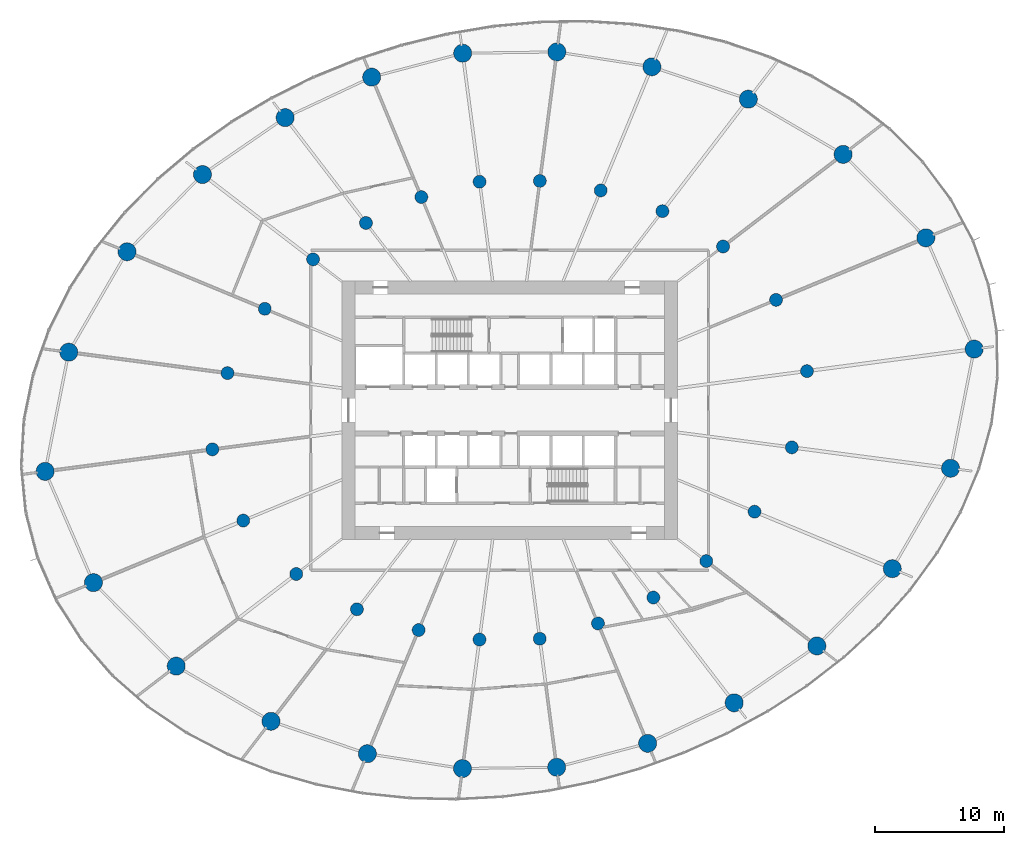
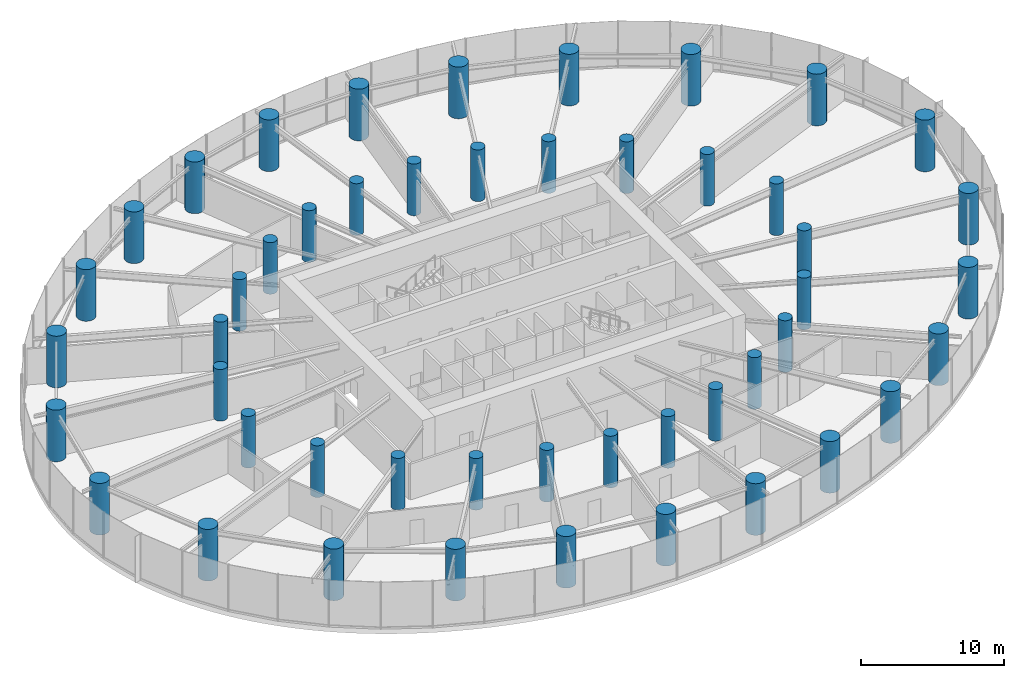
# One storey, part 1 of 18: 48 columns.
"""IFC4 building model written with IfcOpenShell, lengths in metres."""

from ifc_helpers import new_model, si_unit, direction, frame, origin, origin_2d, place, context, subcontext, project, spatial, circle, extrude, source, transform, mapped, material, material_profile, profile_set, type_object, element, save


model = new_model("IFC4")

# Units and contexts
model_context = context("Model", 3, precision=1e-05, world=origin(), true_north=direction((0.0, 1.0)))
body_context = subcontext(model_context, "Body", "Model", "MODEL_VIEW")
ifc_project = project(units=[si_unit("LENGTHUNIT", "METRE"), si_unit("AREAUNIT", "SQUARE_METRE"), si_unit("VOLUMEUNIT", "CUBIC_METRE"), si_unit("PLANEANGLEUNIT", "RADIAN"), si_unit("MASSUNIT", "GRAM", prefix="KILO")], contexts=[model_context])

# Site, building, storey
site_placement = place(None, origin())
site = spatial("IfcSite", under=ifc_project, at=site_placement, CompositionType="ELEMENT")
building_placement = place(site_placement, origin())
building = spatial("IfcBuilding", under=site, at=building_placement, Name="Spindrift Exchange Tower", CompositionType="ELEMENT")
storey_placement = place(building_placement, frame((0.0, 0.0, 66.60009765625)))
storey = spatial("IfcBuildingStorey", under=building, at=storey_placement, Name="L15", CompositionType="ELEMENT", Elevation=66.60009765625)

# Columns
ifc_material = material(Name="Concrete 80 MPa", Category="concrete")
ifc_material_profile_1 = material_profile(ifc_material, circle(Radius=0.699951171875, at=origin_2d()), Name="RC D1400")
ifc_profile_set_1 = profile_set([ifc_material_profile_1], Name="Concrete 80 MPa")
column_type_1 = type_object("IfcColumnType", Name="RC Perimeter Column D1400 Concrete 80 MPa", PredefinedType="COLUMN", material=ifc_profile_set_1)
shared_shape_1 = source(origin(), body_context, "Body", "SweptSolid", [
    extrude(circle(Radius=0.699951171875, at=origin_2d()), origin(), (0.0, 0.0, 1.0), 4.39990234375),
])
for number, where, z_axis, x_axis, name in (
    (1, (87.990478515625, 52.73828125, 0.0), (0.0, 0.0, 1.0), (1.0, 0.0, 0.0), "Perimeter column P1-01 L15"),
    (2, (84.248779296875, 61.35791015625, 0.0), (0.0, 0.0, 1.0), (1.0, 0.0, 0.0), "Perimeter column P1-02 L15"),
    (3, (77.835693359375, 67.82421875, 0.0), (0.0, 0.0, 1.0), (1.0, 0.0, 0.0), "Perimeter column P1-03 L15"),
    (4, (70.4921875, 72.099609375, 0.0), (0.0, 0.0, 1.0), (1.0, 0.0, 0.0), "Perimeter column P1-04 L15"),
    (5, (63.022705078125, 74.611328125, 0.0), (0.0, 0.0, 1.0), (1.0, 0.0, 0.0), "Perimeter column P1-05 L15"),
    (6, (55.65478515625, 75.761474609375, 0.0), (0.0, 0.0, 1.0), (1.0, 0.0, 0.0), "Perimeter column P1-06 L15"),
    (7, (48.3583984375, 75.661376953125, 0.0), (0.0, 0.0, 1.0), (1.0, 0.0, 0.0), "Perimeter column P1-07 L15"),
    (8, (41.309814453125, 73.80859375, 0.0), (0.0, 0.0, 1.0), (1.0, 0.0, 0.0), "Perimeter column P1-08 L15"),
    (9, (34.603515625, 70.671630859375, 0.0), (0.0, 0.0, 1.0), (1.0, 0.0, 0.0), "Perimeter column P1-09 L15"),
    (10, (28.199462890625, 66.2626953125, 0.0), (0.0, 0.0, 1.0), (1.0, 0.0, 0.0), "Perimeter column P1-10 L15"),
    (11, (22.35546875, 60.279296875, 0.0), (0.0, 0.0, 1.0), (1.0, 0.0, 0.0), "Perimeter column P1-11 L15"),
    (12, (17.8388671875, 52.497314453125, 0.0), (0.0, 0.0, 1.0), (1.0, 0.0, 0.0), "Perimeter column P1-12 L15"),
    (13, (16.009521484375, 43.26171875, 0.0), (0.0, 0.0, 1.0), (1.0, 0.0, 0.0), "Perimeter column P1-13 L15"),
    (14, (19.751220703125, 34.64208984375, 0.0), (0.0, 0.0, 1.0), (1.0, 0.0, 0.0), "Perimeter column P1-14 L15"),
    (15, (26.164306640625, 28.17578125, 0.0), (0.0, 0.0, 1.0), (1.0, 0.0, 0.0), "Perimeter column P1-15 L15"),
    (16, (33.5078125, 23.900390625, 0.0), (0.0, 0.0, 1.0), (1.0, 0.0, 0.0), "Perimeter column P1-16 L15"),
    (17, (40.977294921875, 21.388671875, 0.0), (0.0, 0.0, 1.0), (1.0, 0.0, 0.0), "Perimeter column P1-17 L15"),
    (18, (48.34521484375, 20.238525390625, 0.0), (0.0, 0.0, 1.0), (1.0, 0.0, 0.0), "Perimeter column P1-18 L15"),
    (19, (55.6416015625, 20.338623046875, 0.0), (0.0, 0.0, 1.0), (1.0, 0.0, 0.0), "Perimeter column P1-19 L15"),
    (20, (62.690185546875, 22.19140625, 0.0), (0.0, 0.0, 1.0), (1.0, 0.0, 0.0), "Perimeter column P1-20 L15"),
    (21, (69.396484375, 25.328369140625, 0.0), (0.0, 0.0, 1.0), (1.0, 0.0, 0.0), "Perimeter column P1-21 L15"),
    (22, (75.800537109375, 29.7373046875, 0.0), (0.0, 0.0, 1.0), (1.0, 0.0, 0.0), "Perimeter column P1-22 L15"),
    (23, (81.64453125, 35.720703125, 0.0), (0.0, 0.0, 1.0), (1.0, 0.0, 0.0), "Perimeter column P1-23 L15"),
    (24, (86.1611328125, 43.502685546875, 0.0), (0.0, 0.0, 1.0), (1.0, 0.0, 0.0), "Perimeter column P1-24 L15"),
):
    element("IfcColumn", number, at=place(storey_placement, frame(where, z_axis=z_axis, x_axis=x_axis)), inside=storey, type_object=column_type_1, Name=name, PredefinedType="COLUMN", context=body_context, shape_type="MappedRepresentation", body=[
        mapped(shared_shape_1, transform((0.0, 0.0, 0.0), scale=1.0)),
    ])
ifc_material_profile_2 = material_profile(ifc_material, circle(Radius=0.5, at=origin_2d()), Name="RC D1000")
ifc_profile_set_2 = profile_set([ifc_material_profile_2], Name="Concrete 80 MPa")
column_type_2 = type_object("IfcColumnType", Name="RC Inner Column D1000 Concrete 80 MPa", PredefinedType="COLUMN", material=ifc_profile_set_2)
shared_shape_2 = source(origin(), body_context, "Body", "SweptSolid", [
    extrude(circle(Radius=0.5, at=origin_2d()), origin(), (0.0, 0.0, 1.0), 4.39990234375),
])
for number, where, z_axis, x_axis, name in (
    (25, (75.033935546875, 51.032470703125, 0.0), (0.0, 0.0, 1.0), (1.0, 0.0, 0.0), "Inner column Q1-01 L15"),
    (26, (72.639404296875, 56.549072265625, 0.0), (0.0, 0.0, 1.0), (1.0, 0.0, 0.0), "Inner column Q1-02 L15"),
    (27, (68.534912109375, 60.6875, 0.0), (0.0, 0.0, 1.0), (1.0, 0.0, 0.0), "Inner column Q1-03 L15"),
    (28, (63.835205078125, 63.423828125, 0.0), (0.0, 0.0, 1.0), (1.0, 0.0, 0.0), "Inner column Q1-04 L15"),
    (29, (59.0546875, 65.03125, 0.0), (0.0, 0.0, 1.0), (1.0, 0.0, 0.0), "Inner column Q1-05 L15"),
    (30, (54.339111328125, 65.767333984375, 0.0), (0.0, 0.0, 1.0), (1.0, 0.0, 0.0), "Inner column Q1-06 L15"),
    (31, (49.669189453125, 65.703125, 0.0), (0.0, 0.0, 1.0), (1.0, 0.0, 0.0), "Inner column Q1-07 L15"),
    (32, (45.158203125, 64.517578125, 0.0), (0.0, 0.0, 1.0), (1.0, 0.0, 0.0), "Inner column Q1-08 L15"),
    (33, (40.8662109375, 62.510009765625, 0.0), (0.0, 0.0, 1.0), (1.0, 0.0, 0.0), "Inner column Q1-09 L15"),
    (34, (36.767578125, 59.688232421875, 0.0), (0.0, 0.0, 1.0), (1.0, 0.0, 0.0), "Inner column Q1-10 L15"),
    (35, (33.027587890625, 55.858642578125, 0.0), (0.0, 0.0, 1.0), (1.0, 0.0, 0.0), "Inner column Q1-11 L15"),
    (36, (30.13671875, 50.87841796875, 0.0), (0.0, 0.0, 1.0), (1.0, 0.0, 0.0), "Inner column Q1-12 L15"),
    (37, (28.966064453125, 44.967529296875, 0.0), (0.0, 0.0, 1.0), (1.0, 0.0, 0.0), "Inner column Q1-13 L15"),
    (38, (31.360595703125, 39.450927734375, 0.0), (0.0, 0.0, 1.0), (1.0, 0.0, 0.0), "Inner column Q1-14 L15"),
    (39, (35.465087890625, 35.3125, 0.0), (0.0, 0.0, 1.0), (1.0, 0.0, 0.0), "Inner column Q1-15 L15"),
    (40, (40.164794921875, 32.576171875, 0.0), (0.0, 0.0, 1.0), (1.0, 0.0, 0.0), "Inner column Q1-16 L15"),
    (41, (44.9453125, 30.96875, 0.0), (0.0, 0.0, 1.0), (1.0, 0.0, 0.0), "Inner column Q1-17 L15"),
    (42, (49.660888671875, 30.232666015625, 0.0), (0.0, 0.0, 1.0), (1.0, 0.0, 0.0), "Inner column Q1-18 L15"),
    (43, (54.330810546875, 30.296875, 0.0), (0.0, 0.0, 1.0), (1.0, 0.0, 0.0), "Inner column Q1-19 L15"),
    (44, (58.841796875, 31.482421875, 0.0), (0.0, 0.0, 1.0), (1.0, 0.0, 0.0), "Inner column Q1-20 L15"),
    (45, (63.1337890625, 33.489990234375, 0.0), (0.0, 0.0, 1.0), (1.0, 0.0, 0.0), "Inner column Q1-21 L15"),
    (46, (67.232421875, 36.311767578125, 0.0), (0.0, 0.0, 1.0), (1.0, 0.0, 0.0), "Inner column Q1-22 L15"),
    (47, (70.972412109375, 40.141357421875, 0.0), (0.0, 0.0, 1.0), (1.0, 0.0, 0.0), "Inner column Q1-23 L15"),
    (48, (73.86328125, 45.12158203125, 0.0), (0.0, 0.0, 1.0), (1.0, 0.0, 0.0), "Inner column Q1-24 L15"),
):
    element("IfcColumn", number, at=place(storey_placement, frame(where, z_axis=z_axis, x_axis=x_axis)), inside=storey, type_object=column_type_2, Name=name, PredefinedType="COLUMN", context=body_context, shape_type="MappedRepresentation", body=[
        mapped(shared_shape_2, transform((0.0, 0.0, 0.0), scale=1.0)),
    ])

save(model, "model.ifc")
